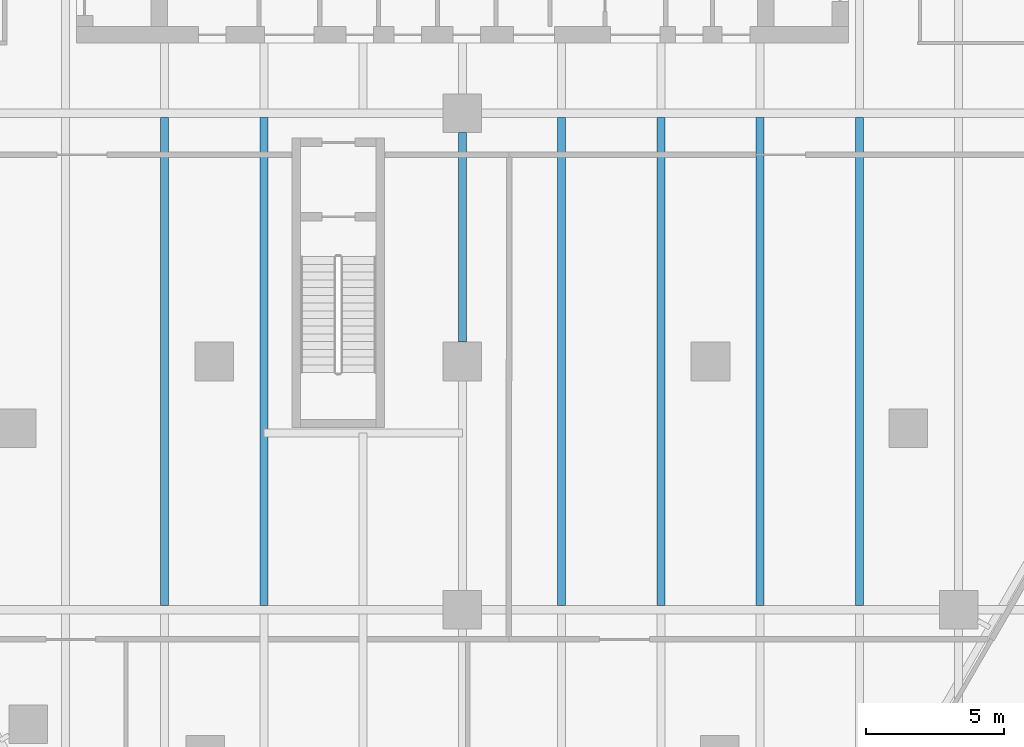
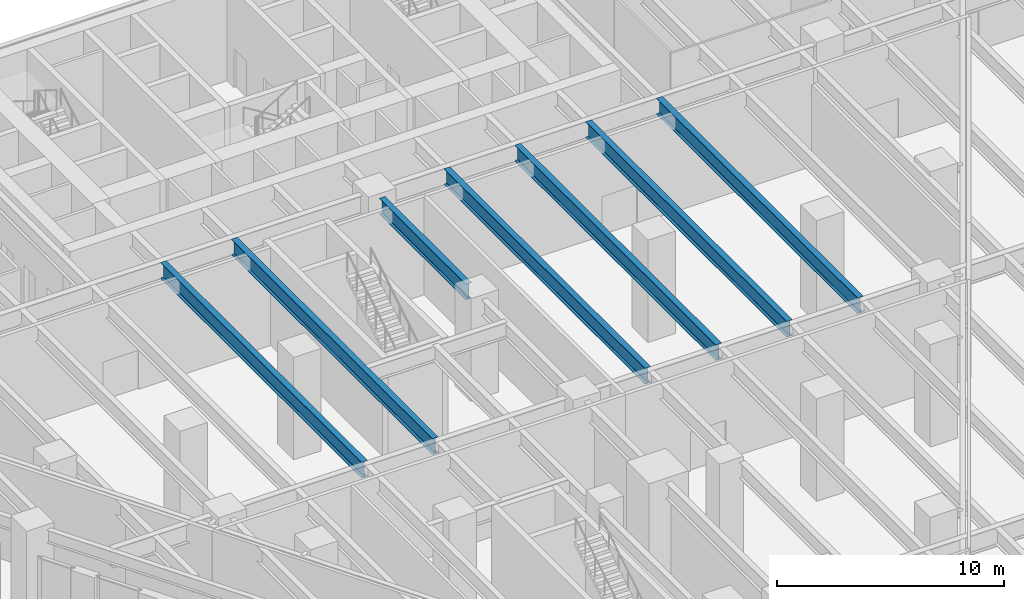
# One storey, part 7 of 30: 7 beams.
"""IFC4 building model written with IfcOpenShell, lengths in metres."""

from ifc_helpers import new_model, si_unit, direction, frame, origin, origin_2d, place, context, subcontext, project, spatial, i_section, extrude, material, material_profile, profile_set, type_object, element, save


model = new_model("IFC4")

# Units and contexts
model_context = context("Model", 3, precision=1e-05, world=origin(), true_north=direction((0.0, 1.0)))
body_context = subcontext(model_context, "Body", "Model", "MODEL_VIEW")
ifc_project = project(units=[si_unit("LENGTHUNIT", "METRE"), si_unit("AREAUNIT", "SQUARE_METRE"), si_unit("VOLUMEUNIT", "CUBIC_METRE"), si_unit("PLANEANGLEUNIT", "RADIAN"), si_unit("MASSUNIT", "GRAM", prefix="KILO")], contexts=[model_context])

# Site, building, storey
site_placement = place(None, origin())
site = spatial("IfcSite", under=ifc_project, at=site_placement, CompositionType="ELEMENT")
building_placement = place(site_placement, origin())
building = spatial("IfcBuilding", under=site, at=building_placement, Name="Aloe Facet Convention Tower", CompositionType="ELEMENT")
storey_placement = place(building_placement, frame((0.0, 0.0, 19.5)))
storey = spatial("IfcBuildingStorey", under=building, at=storey_placement, Name="L03", CompositionType="ELEMENT", Elevation=19.5)

# Beams
ifc_material = material(Name="Steel S355", Category="steel")
ifc_material_profile = material_profile(ifc_material, i_section(OverallWidth=0.293701171875, OverallDepth=0.850830078125, WebThickness=0.01611328125, FlangeThickness=0.02685546875, FilletRadius=0.017822265625, at=origin_2d()), Name="UB 838x292x226")
ifc_profile_set = profile_set([ifc_material_profile], Name="Steel S355")
beam_type = type_object("IfcBeamType", Name="SF-B-UB838x292x226", PredefinedType="BEAM", material=ifc_profile_set)
for number, where, z_axis, x_axis, name in (
    (1, (69.199951171875, 99.152587890625, 4.824462890625), (0.0, 1.0, 0.0), (-1.0, 0.0, 0.0), "Floor beam FB-L04-057"),
    (2, (72.800048828125, 99.152587890625, 4.824462890625), (0.0, 1.0, 0.0), (-1.0, 0.0, 0.0), "Floor beam FB-L04-062"),
):
    element("IfcBeam", number, at=place(storey_placement, frame(where, z_axis=z_axis, x_axis=x_axis)), inside=storey, type_object=beam_type, Name=name, PredefinedType="BEAM", context=body_context, shape_type="SweptSolid", body=[
        extrude(i_section(OverallWidth=0.293701171875, OverallDepth=0.850830078125, WebThickness=0.01611328125, FlangeThickness=0.02685546875, FilletRadius=0.017822265625, at=origin_2d()), origin(), (0.0, 0.0, 1.0), 17.69482421875),
    ])
beam_placement = place(storey_placement, frame((80.0, 108.699951171875, 4.824462890625), z_axis=(0.0, 1.0, 0.0), x_axis=(-1.0, 0.0, 0.0)))
element("IfcBeam", 3, at=beam_placement, inside=storey, type_object=beam_type, Name="Floor beam FB-L04-073", PredefinedType="BEAM", context=body_context, shape_type="SweptSolid", body=[
    extrude(i_section(OverallWidth=0.293701171875, OverallDepth=0.850830078125, WebThickness=0.01611328125, FlangeThickness=0.02685546875, FilletRadius=0.017822265625, at=origin_2d()), origin(), (0.0, 0.0, 1.0), 7.60009765625),
])
for number, where, z_axis, x_axis, name in (
    (4, (83.60009765625, 99.152587890625, 4.824462890625), (0.0, 1.0, 0.0), (-1.0, 0.0, 0.0), "Floor beam FB-L04-078"),
    (5, (87.199951171875, 99.152587890625, 4.824462890625), (0.0, 1.0, 0.0), (-1.0, 0.0, 0.0), "Floor beam FB-L04-082"),
    (6, (90.800048828125, 99.152587890625, 4.824462890625), (0.0, 1.0, 0.0), (-1.0, 0.0, 0.0), "Floor beam FB-L04-086"),
    (7, (94.39990234375, 99.152587890625, 4.824462890625), (0.0, 1.0, 0.0), (-1.0, 0.0, 0.0), "Floor beam FB-L04-089"),
):
    element("IfcBeam", number, at=place(storey_placement, frame(where, z_axis=z_axis, x_axis=x_axis)), inside=storey, type_object=beam_type, Name=name, PredefinedType="BEAM", context=body_context, shape_type="SweptSolid", body=[
        extrude(i_section(OverallWidth=0.293701171875, OverallDepth=0.850830078125, WebThickness=0.01611328125, FlangeThickness=0.02685546875, FilletRadius=0.017822265625, at=origin_2d()), origin(), (0.0, 0.0, 1.0), 17.69482421875),
    ])

save(model, "model.ifc")
